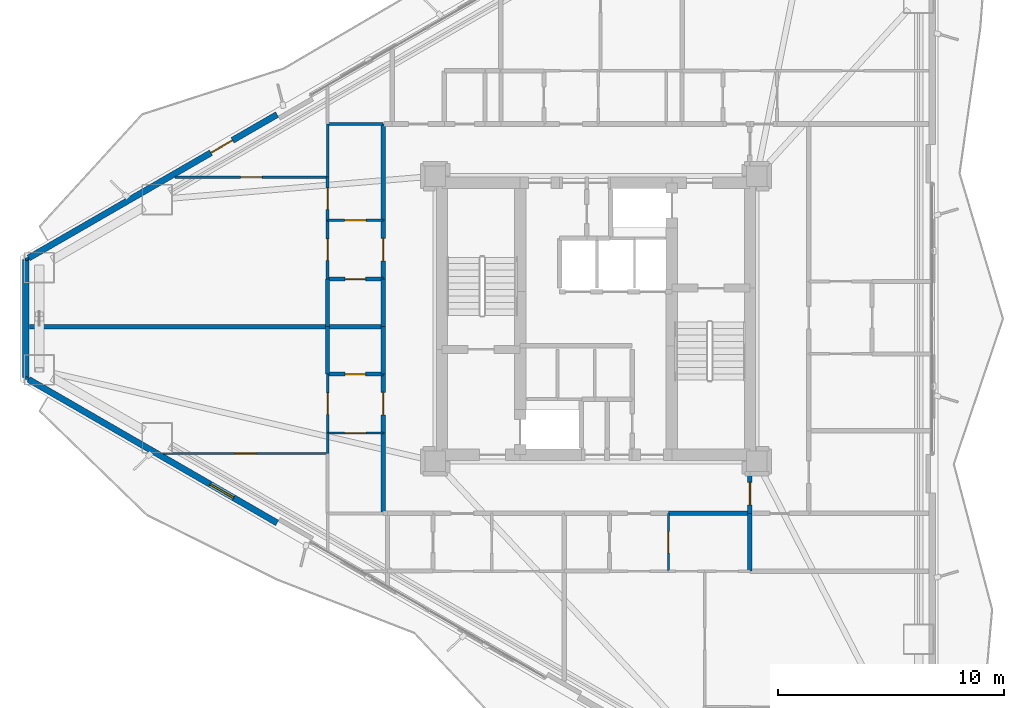
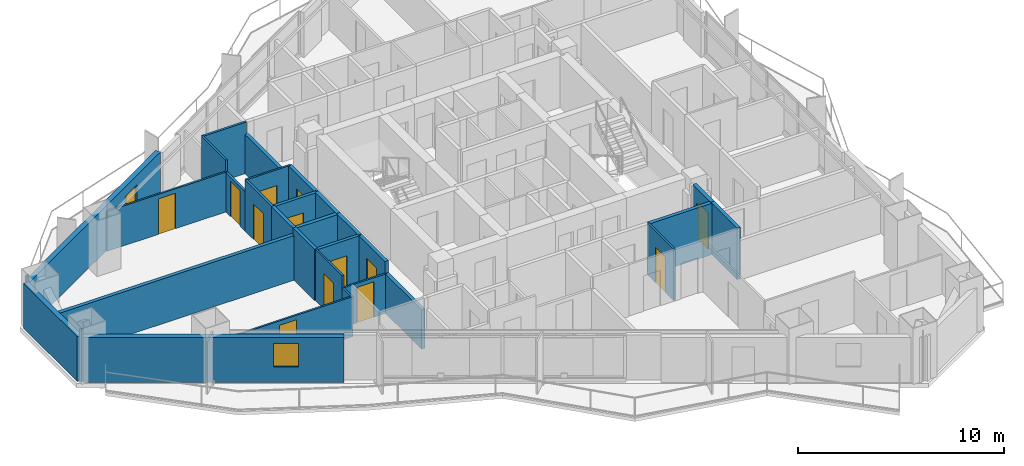
# One storey, part 12 of 18: 31 walls, 14 doors, 1 window, 15 openings.
"""IFC4 building model written with IfcOpenShell, lengths in metres."""

from ifc_helpers import new_model, si_unit, direction, frame, frame_2d, origin, place, context, subcontext, project, spatial, rectangle, extrude, material, layer, layer_set, type_object, element, fill, save


model = new_model("IFC4")

# Units and contexts
model_context = context("Model", 3, precision=1e-05, world=origin(), true_north=direction((0.0, 1.0)))
body_context = subcontext(model_context, "Body", "Model", "MODEL_VIEW")
ifc_project = project(units=[si_unit("LENGTHUNIT", "METRE"), si_unit("AREAUNIT", "SQUARE_METRE"), si_unit("VOLUMEUNIT", "CUBIC_METRE"), si_unit("PLANEANGLEUNIT", "RADIAN"), si_unit("MASSUNIT", "GRAM", prefix="KILO")], contexts=[model_context])

# Site, building, storey
site_placement = place(None, origin())
site = spatial("IfcSite", under=ifc_project, at=site_placement, CompositionType="ELEMENT")
building_placement = place(site_placement, origin())
building = spatial("IfcBuilding", under=site, at=building_placement, Name="Mersakhor Tower and Convention Hall", CompositionType="ELEMENT")
storey_placement = place(building_placement, frame((0.0, 0.0, 52.199951171875)))
storey = spatial("IfcBuildingStorey", under=building, at=storey_placement, Name="L14", CompositionType="ELEMENT", Elevation=52.199951171875)

# Wall
ifc_material_1 = material(Name="Precast concrete C45/55", Category="concrete")
ifc_layer_1 = layer(ifc_material_1, 0.27490234375)
ifc_layer_set_1 = layer_set([ifc_layer_1], Name="Precast concrete C45/55")
wall_type_1 = type_object("IfcWallType", Name="WL-EXT-275", PredefinedType="SOLIDWALL", material=ifc_layer_set_1)
wall_1_placement = place(storey_placement, frame((3.81298828125, 24.144287109375, 0.0), z_axis=(0.0, 0.0, 1.0), x_axis=(0.0, 1.0, 0.0)))
element("IfcWall", 1, at=wall_1_placement, inside=storey, type_object=wall_type_1, Name="L14 Chamfer Braced Spandrel Wall C3", PredefinedType="SOLIDWALL", context=body_context, shape_type="SweptSolid", body=[
    extrude(rectangle(XDim=5.21142578125, YDim=0.27490234375, at=frame_2d((2.605712890625, 0.0))), origin(), (0.0, 0.0, 1.0), 2.66015625),
])

# Wall, opening, door
wall_2_placement = place(storey_placement, frame((3.943115234375, 29.4306640625, 0.0), z_axis=(0.0, 0.0, 1.0), x_axis=(0.866027105532, 0.499997052475, 0.0)))
wall_2 = element("IfcWall", 2, at=wall_2_placement, inside=storey, type_object=wall_type_1, Name="L14 Exterior Facade Wall F1-B1", PredefinedType="SOLIDWALL", context=body_context, shape_type="SweptSolid", body=[
    extrude(rectangle(XDim=12.6728515625, YDim=0.27490234375, at=frame_2d((6.33642578125, 0.0))), origin(), (0.0, 0.0, 1.0), 2.66015625),
])
opening_1_placement = place(wall_2_placement, frame((9.298095703125, 0.0, 0.0)))
opening_1 = element("IfcOpeningElement", 3, at=opening_1_placement, cuts=wall_2, Name="Opening BD-02", PredefinedType="OPENING", context=body_context, shape_type="SweptSolid", body=[
    extrude(rectangle(XDim=1.10009765625, YDim=2.10009765625, at=frame_2d((0.550048828125, 1.050048828125))), frame((0.0, 0.1474609375, 0.0), z_axis=(0.0, -1.0, 0.0), x_axis=(1.0, 0.0, 0.0)), (0.0, 0.0, 1.0), 0.294921875),
])
ifc_material_2 = material(Name="Thermally broken dark aluminium and safety glass", Category="aluminium")
door_type_1 = type_object("IfcDoorType", Name="DR-BAL-110x210", OperationType="NOTDEFINED", PredefinedType="DOOR", material=ifc_material_2)
door_1_placement = place(opening_1_placement, origin())
door_1 = element("IfcDoor", 4, at=door_1_placement, inside=storey, type_object=door_type_1, Name="L14 Balcony Terrace Door F1-B1", OperationType="SINGLE_SWING_RIGHT", OverallHeight=2.10009765625, OverallWidth=1.10009765625, PredefinedType="DOOR", context=body_context, shape_type="SweptSolid", body=[
    extrude(rectangle(XDim=1.10009765625, YDim=2.10009765625, at=frame_2d((0.550048828125, 1.050048828125))), frame((0.0, 0.02490234375, 0.0), z_axis=(0.0, -1.0, 0.0), x_axis=(1.0, 0.0, 0.0)), (0.0, 0.0, 1.0), 0.050048828125),
])
fill(opening_1, door_1)

# Wall, opening, window
wall_3_placement = place(storey_placement, frame((14.918212890625, 17.73291015625, 0.0), z_axis=(0.0, 0.0, 1.0), x_axis=(-0.866027105532, 0.499997052475, 0.0)))
wall_3 = element("IfcWall", 5, at=wall_3_placement, inside=storey, type_object=wall_type_1, Name="L14 Exterior Facade Wall F3-B3", PredefinedType="SOLIDWALL", context=body_context, shape_type="SweptSolid", body=[
    extrude(rectangle(XDim=12.6728515625, YDim=0.27490234375, at=frame_2d((6.33642578125, 0.0))), origin(), (0.0, 0.0, 1.0), 2.66015625),
])
opening_2_placement = place(wall_3_placement, frame((2.216064453125, 0.0, 0.89990234375)))
opening_2 = element("IfcOpeningElement", 6, at=opening_2_placement, cuts=wall_3, Name="Opening W-01", PredefinedType="OPENING", context=body_context, shape_type="SweptSolid", body=[
    extrude(rectangle(XDim=1.199951171875, YDim=1.39990234375, at=frame_2d((0.60009765625, 0.699951171875))), frame((0.0, 0.1474609375, 0.0), z_axis=(0.0, -1.0, 0.0), x_axis=(1.0, 0.0, 0.0)), (0.0, 0.0, 1.0), 0.294921875),
])
ifc_material_3 = material(Name="Dark solar low-E glazed aluminium window", Category="aluminium")
window_type = type_object("IfcWindowType", Name="WN-RES-120x150", PartitioningType="SINGLE_PANEL", PredefinedType="WINDOW", material=ifc_material_3)
window_placement = place(opening_2_placement, origin())
window = element("IfcWindow", 7, at=window_placement, inside=storey, type_object=window_type, Name="L14 Bedroom Facade Window F3-B3-1", OverallHeight=1.39990234375, OverallWidth=1.199951171875, PartitioningType="SINGLE_PANEL", PredefinedType="WINDOW", context=body_context, shape_type="SweptSolid", body=[
    extrude(rectangle(XDim=1.199951171875, YDim=1.39990234375, at=frame_2d((0.60009765625, 0.699951171875))), frame((0.0, 0.030029296875, 0.0), z_axis=(0.0, -1.0, 0.0), x_axis=(1.0, 0.0, 0.0)), (0.0, 0.0, 1.0), 0.06005859375),
])
fill(opening_2, window)

# Wall, opening, door
ifc_material_4 = material(Name="Moisture-resistant acoustic drywall studwork", Category="other")
ifc_layer_2 = layer(ifc_material_4, 0.175048828125)
ifc_layer_set_2 = layer_set([ifc_layer_2], Name="Moisture-resistant acoustic drywall studwork")
wall_type_2 = type_object("IfcWallType", Name="WL-PLM-175", PredefinedType="PLUMBINGWALL", material=ifc_layer_set_2)
wall_4_placement = place(storey_placement, frame((19.60009765625, 28.5, 0.0), z_axis=(0.0, 0.0, 1.0), x_axis=(-1.0, 0.0, 0.0)))
wall_4 = element("IfcWall", 8, at=wall_4_placement, inside=storey, type_object=wall_type_2, Name="L14 Interior Partition Wall P-085", PredefinedType="PLUMBINGWALL", context=body_context, shape_type="SweptSolid", body=[
    extrude(rectangle(XDim=2.4501953125, YDim=0.175048828125, at=frame_2d((1.22509765625, 0.0))), origin(), (0.0, 0.0, 1.0), 3.0400390625),
])
opening_3_placement = place(wall_4_placement, frame((0.77490234375, 0.0, 0.0)))
opening_3 = element("IfcOpeningElement", 9, at=opening_3_placement, cuts=wall_4, Name="Opening WD-01", PredefinedType="OPENING", context=body_context, shape_type="SweptSolid", body=[
    extrude(rectangle(XDim=0.89990234375, YDim=2.10009765625, at=frame_2d((0.449951171875, 1.050048828125))), frame((0.0, 0.097412109375, 0.0), z_axis=(0.0, -1.0, 0.0), x_axis=(1.0, 0.0, 0.0)), (0.0, 0.0, 1.0), 0.195068359375),
])
ifc_material_5 = material(Name="Solid-core hardwood leaf in painted steel frame", Category="steel")
door_type_2 = type_object("IfcDoorType", Name="DR-INT-WET-090x210", OperationType="NOTDEFINED", PredefinedType="DOOR", material=ifc_material_5)
door_2_placement = place(opening_3_placement, origin())
door_2 = element("IfcDoor", 10, at=door_2_placement, inside=storey, type_object=door_type_2, Name="L14 L14 Flat W6 Apartment Hall to L14 Flat W6 Bathroom Door", OperationType="SINGLE_SWING_RIGHT", OverallHeight=2.10009765625, OverallWidth=0.89990234375, PredefinedType="DOOR", context=body_context, shape_type="SweptSolid", body=[
    extrude(rectangle(XDim=0.89990234375, YDim=2.10009765625, at=frame_2d((0.449951171875, 1.050048828125))), frame((0.0, 0.02490234375, 0.0), z_axis=(0.0, -1.0, 0.0), x_axis=(1.0, 0.0, 0.0)), (0.0, 0.0, 1.0), 0.050048828125),
])
fill(opening_3, door_2)

wall_5_placement = place(storey_placement, frame((17.14990234375, 24.300048828125, 0.0), z_axis=(0.0, 0.0, 1.0), x_axis=(1.0, 0.0, 0.0)))
wall_5 = element("IfcWall", 11, at=wall_5_placement, inside=storey, type_object=wall_type_2, Name="L14 Interior Partition Wall P-087", PredefinedType="PLUMBINGWALL", context=body_context, shape_type="SweptSolid", body=[
    extrude(rectangle(XDim=2.4501953125, YDim=0.175048828125, at=frame_2d((1.22509765625, 0.0))), origin(), (0.0, 0.0, 1.0), 3.0400390625),
])
opening_4_placement = place(wall_5_placement, frame((0.77490234375, 0.0, 0.0)))
opening_4 = element("IfcOpeningElement", 12, at=opening_4_placement, cuts=wall_5, Name="Opening WD-01", PredefinedType="OPENING", context=body_context, shape_type="SweptSolid", body=[
    extrude(rectangle(XDim=0.89990234375, YDim=2.10009765625, at=frame_2d((0.449951171875, 1.050048828125))), frame((0.0, 0.097412109375, 0.0), z_axis=(0.0, -1.0, 0.0), x_axis=(1.0, 0.0, 0.0)), (0.0, 0.0, 1.0), 0.195068359375),
])
door_3_placement = place(opening_4_placement, origin())
door_3 = element("IfcDoor", 13, at=door_3_placement, inside=storey, type_object=door_type_2, Name="L14 L14 Flat W7 Apartment Hall to L14 Flat W7 Bathroom Door", OperationType="SINGLE_SWING_LEFT", OverallHeight=2.10009765625, OverallWidth=0.89990234375, PredefinedType="DOOR", context=body_context, shape_type="SweptSolid", body=[
    extrude(rectangle(XDim=0.89990234375, YDim=2.10009765625, at=frame_2d((0.449951171875, 1.050048828125))), frame((0.0, 0.02490234375, 0.0), z_axis=(0.0, -1.0, 0.0), x_axis=(1.0, 0.0, 0.0)), (0.0, 0.0, 1.0), 0.050048828125),
])
fill(opening_4, door_3)

# Walls
wall_6_placement = place(storey_placement, frame((17.14990234375, 26.39990234375, 0.0), z_axis=(0.0, 0.0, 1.0), x_axis=(0.0, 1.0, 0.0)))
element("IfcWall", 14, at=wall_6_placement, inside=storey, type_object=wall_type_2, Name="L14 Interior Partition Wall P-111", PredefinedType="PLUMBINGWALL", context=body_context, shape_type="SweptSolid", body=[
    extrude(rectangle(XDim=2.10009765625, YDim=0.175048828125, at=frame_2d((1.050048828125, 0.0))), origin(), (0.0, 0.0, 1.0), 3.0400390625),
])
wall_7_placement = place(storey_placement, frame((17.14990234375, 24.300048828125, 0.0), z_axis=(0.0, 0.0, 1.0), x_axis=(0.0, 1.0, 0.0)))
element("IfcWall", 15, at=wall_7_placement, inside=storey, type_object=wall_type_2, Name="L14 Interior Partition Wall P-116", PredefinedType="PLUMBINGWALL", context=body_context, shape_type="SweptSolid", body=[
    extrude(rectangle(XDim=2.099853515625, YDim=0.175048828125, at=frame_2d((1.0498046875, 0.0))), origin(), (0.0, 0.0, 1.0), 3.0400390625),
])

# Wall, opening, door
ifc_material_6 = material(Name="Lightweight gypsum partition", Category="other")
ifc_layer_3 = layer(ifc_material_6, 0.10009765625)
ifc_layer_set_3 = layer_set([ifc_layer_3], Name="Lightweight gypsum partition")
wall_type_3 = type_object("IfcWallType", Name="WL-PRT-100", PredefinedType="PARTITIONING", material=ifc_layer_set_3)
wall_8_placement = place(storey_placement, frame((32.199951171875, 18.14990234375, 0.0), z_axis=(0.0, 0.0, 1.0), x_axis=(0.0, -1.0, 0.0)))
wall_8 = element("IfcWall", 16, at=wall_8_placement, inside=storey, type_object=wall_type_3, Name="L14 Interior Partition Wall P-082", PredefinedType="PARTITIONING", context=body_context, shape_type="SweptSolid", body=[
    extrude(rectangle(XDim=2.5498046875, YDim=0.10009765625, at=frame_2d((1.27490234375, 0.0))), origin(), (0.0, 0.0, 1.0), 3.0400390625),
])
opening_5_placement = place(wall_8_placement, frame((0.800048828125, 0.0, 0.0)))
opening_5 = element("IfcOpeningElement", 17, at=opening_5_placement, cuts=wall_8, Name="Opening RD-01", PredefinedType="OPENING", context=body_context, shape_type="SweptSolid", body=[
    extrude(rectangle(XDim=0.949951171875, YDim=2.10009765625, at=frame_2d((0.47509765625, 1.050048828125))), frame((0.0, 0.06005859375, 0.0), z_axis=(0.0, -1.0, 0.0), x_axis=(1.0, 0.0, 0.0)), (0.0, 0.0, 1.0), 0.1201171875),
])
ifc_material_7 = material(Name="Solid-core hardwood leaf in painted steel frame", Category="steel")
door_type_3 = type_object("IfcDoorType", Name="DR-INT-RM-095x210", OperationType="NOTDEFINED", PredefinedType="DOOR", material=ifc_material_7)
door_4_placement = place(opening_5_placement, origin())
door_4 = element("IfcDoor", 18, at=door_4_placement, inside=storey, type_object=door_type_3, Name="L14 L14 Flat S5 Apartment Hall to L14 Flat S5 Kitchen Door", OperationType="SINGLE_SWING_RIGHT", OverallHeight=2.10009765625, OverallWidth=0.949951171875, PredefinedType="DOOR", context=body_context, shape_type="SweptSolid", body=[
    extrude(rectangle(XDim=0.949951171875, YDim=2.10009765625, at=frame_2d((0.47509765625, 1.050048828125))), frame((0.0, 0.02490234375, 0.0), z_axis=(0.0, -1.0, 0.0), x_axis=(1.0, 0.0, 0.0)), (0.0, 0.0, 1.0), 0.050048828125),
])
fill(opening_5, door_4)

wall_9_placement = place(storey_placement, frame((17.14990234375, 31.10009765625, 0.0), z_axis=(0.0, 0.0, 1.0), x_axis=(1.0, 0.0, 0.0)))
wall_9 = element("IfcWall", 19, at=wall_9_placement, inside=storey, type_object=wall_type_3, Name="L14 Interior Partition Wall P-084", PredefinedType="PARTITIONING", context=body_context, shape_type="SweptSolid", body=[
    extrude(rectangle(XDim=2.4501953125, YDim=0.10009765625, at=frame_2d((1.22509765625, 0.0))), origin(), (0.0, 0.0, 1.0), 3.0400390625),
])
opening_6_placement = place(wall_9_placement, frame((0.75, 0.0, 0.0)))
opening_6 = element("IfcOpeningElement", 20, at=opening_6_placement, cuts=wall_9, Name="Opening RD-01", PredefinedType="OPENING", context=body_context, shape_type="SweptSolid", body=[
    extrude(rectangle(XDim=0.949951171875, YDim=2.10009765625, at=frame_2d((0.47509765625, 1.050048828125))), frame((0.0, 0.06005859375, 0.0), z_axis=(0.0, -1.0, 0.0), x_axis=(1.0, 0.0, 0.0)), (0.0, 0.0, 1.0), 0.1201171875),
])
door_5_placement = place(opening_6_placement, origin())
door_5 = element("IfcDoor", 21, at=door_5_placement, inside=storey, type_object=door_type_3, Name="L14 L14 Flat W6 Apartment Hall to L14 Flat W6 Kitchen Door", OperationType="SINGLE_SWING_LEFT", OverallHeight=2.10009765625, OverallWidth=0.949951171875, PredefinedType="DOOR", context=body_context, shape_type="SweptSolid", body=[
    extrude(rectangle(XDim=0.949951171875, YDim=2.10009765625, at=frame_2d((0.47509765625, 1.050048828125))), frame((0.0, 0.02490234375, 0.0), z_axis=(0.0, -1.0, 0.0), x_axis=(1.0, 0.0, 0.0)), (0.0, 0.0, 1.0), 0.050048828125),
])
fill(opening_6, door_5)

wall_10_placement = place(storey_placement, frame((17.14990234375, 21.699951171875, 0.0), z_axis=(0.0, 0.0, 1.0), x_axis=(0.0, 1.0, 0.0)))
wall_10 = element("IfcWall", 22, at=wall_10_placement, inside=storey, type_object=wall_type_3, Name="L14 Interior Partition Wall P-086", PredefinedType="PARTITIONING", context=body_context, shape_type="SweptSolid", body=[
    extrude(rectangle(XDim=2.60009765625, YDim=0.10009765625, at=frame_2d((1.300048828125, 0.0))), origin(), (0.0, 0.0, 1.0), 3.0400390625),
])
opening_7_placement = place(wall_10_placement, frame((0.824951171875, 0.0, 0.0)))
opening_7 = element("IfcOpeningElement", 23, at=opening_7_placement, cuts=wall_10, Name="Opening RD-01", PredefinedType="OPENING", context=body_context, shape_type="SweptSolid", body=[
    extrude(rectangle(XDim=0.949951171875, YDim=2.10009765625, at=frame_2d((0.47509765625, 1.050048828125))), frame((0.0, 0.06005859375, 0.0), z_axis=(0.0, -1.0, 0.0), x_axis=(1.0, 0.0, 0.0)), (0.0, 0.0, 1.0), 0.1201171875),
])
door_6_placement = place(opening_7_placement, origin())
door_6 = element("IfcDoor", 24, at=door_6_placement, inside=storey, type_object=door_type_3, Name="L14 L14 Flat W7 Apartment Hall to L14 Flat W7 Living and Dining Room Door", OperationType="SINGLE_SWING_LEFT", OverallHeight=2.10009765625, OverallWidth=0.949951171875, PredefinedType="DOOR", context=body_context, shape_type="SweptSolid", body=[
    extrude(rectangle(XDim=0.949951171875, YDim=2.10009765625, at=frame_2d((0.47509765625, 1.050048828125))), frame((0.0, 0.02490234375, 0.0), z_axis=(0.0, -1.0, 0.0), x_axis=(1.0, 0.0, 0.0)), (0.0, 0.0, 1.0), 0.050048828125),
])
fill(opening_7, door_6)

wall_11_placement = place(storey_placement, frame((19.60009765625, 21.699951171875, 0.0), z_axis=(0.0, 0.0, 1.0), x_axis=(-1.0, 0.0, 0.0)))
wall_11 = element("IfcWall", 25, at=wall_11_placement, inside=storey, type_object=wall_type_3, Name="L14 Interior Partition Wall P-088", PredefinedType="PARTITIONING", context=body_context, shape_type="SweptSolid", body=[
    extrude(rectangle(XDim=2.4501953125, YDim=0.10009765625, at=frame_2d((1.22509765625, 0.0))), origin(), (0.0, 0.0, 1.0), 2.337646484375),
])
opening_8_placement = place(wall_11_placement, frame((0.75, 0.0, 0.0)))
opening_8 = element("IfcOpeningElement", 26, at=opening_8_placement, cuts=wall_11, Name="Opening RD-01", PredefinedType="OPENING", context=body_context, shape_type="SweptSolid", body=[
    extrude(rectangle(XDim=0.949951171875, YDim=2.10009765625, at=frame_2d((0.47509765625, 1.050048828125))), frame((0.0, 0.06005859375, 0.0), z_axis=(0.0, -1.0, 0.0), x_axis=(1.0, 0.0, 0.0)), (0.0, 0.0, 1.0), 0.1201171875),
])
door_7_placement = place(opening_8_placement, origin())
door_7 = element("IfcDoor", 27, at=door_7_placement, inside=storey, type_object=door_type_3, Name="L14 L14 Flat W7 Apartment Hall to L14 Flat W7 Kitchen Door", OperationType="SINGLE_SWING_RIGHT", OverallHeight=2.10009765625, OverallWidth=0.949951171875, PredefinedType="DOOR", context=body_context, shape_type="SweptSolid", body=[
    extrude(rectangle(XDim=0.949951171875, YDim=2.10009765625, at=frame_2d((0.47509765625, 1.050048828125))), frame((0.0, 0.02490234375, 0.0), z_axis=(0.0, -1.0, 0.0), x_axis=(1.0, 0.0, 0.0)), (0.0, 0.0, 1.0), 0.050048828125),
])
fill(opening_8, door_7)

# Walls
wall_12_placement = place(storey_placement, frame((17.14990234375, 33.0, 0.0), z_axis=(0.0, 0.0, 1.0), x_axis=(0.0, 1.0, 0.0)))
element("IfcWall", 28, at=wall_12_placement, inside=storey, type_object=wall_type_3, Name="L14 Interior Partition Wall P-114", PredefinedType="PARTITIONING", context=body_context, shape_type="SweptSolid", body=[
    extrude(rectangle(XDim=2.35009765625, YDim=0.10009765625, at=frame_2d((1.175048828125, 0.0))), origin(), (0.0, 0.0, 1.0), 3.0400390625),
])
wall_13_placement = place(storey_placement, frame((17.14990234375, 20.800048828125, 0.0), z_axis=(0.0, 0.0, 1.0), x_axis=(0.0, 1.0, 0.0)))
element("IfcWall", 29, at=wall_13_placement, inside=storey, type_object=wall_type_3, Name="L14 Interior Partition Wall P-118", PredefinedType="PARTITIONING", context=body_context, shape_type="SweptSolid", body=[
    extrude(rectangle(XDim=0.89990234375, YDim=0.10009765625, at=frame_2d((0.449951171875, 0.0))), origin(), (0.0, 0.0, 1.0), 2.337646484375),
])

# Wall, opening, door
wall_14_placement = place(storey_placement, frame((10.4189453125, 33.0, 0.0), z_axis=(0.0, 0.0, 1.0), x_axis=(1.0, 0.0, 0.0)))
wall_14 = element("IfcWall", 30, at=wall_14_placement, inside=storey, type_object=wall_type_3, Name="L14 Interior Partition Wall P-140", PredefinedType="PARTITIONING", context=body_context, shape_type="SweptSolid", body=[
    extrude(rectangle(XDim=6.73095703125, YDim=0.10009765625, at=frame_2d((3.365478515625, 0.0))), origin(), (0.0, 0.0, 1.0), 2.364990234375),
])
opening_9_placement = place(wall_14_placement, frame((2.890380859375, 0.0, 0.0)))
opening_9 = element("IfcOpeningElement", 31, at=opening_9_placement, cuts=wall_14, Name="Opening RD-01", PredefinedType="OPENING", context=body_context, shape_type="SweptSolid", body=[
    extrude(rectangle(XDim=0.949951171875, YDim=2.10009765625, at=frame_2d((0.47509765625, 1.050048828125))), frame((0.0, 0.06005859375, 0.0), z_axis=(0.0, -1.0, 0.0), x_axis=(1.0, 0.0, 0.0)), (0.0, 0.0, 1.0), 0.1201171875),
])
door_8_placement = place(opening_9_placement, origin())
door_8 = element("IfcDoor", 32, at=door_8_placement, inside=storey, type_object=door_type_3, Name="L14 L14 Flat W6 Living and Dining Room to L14 Flat W6 Bedroom 1 Door", OperationType="SINGLE_SWING_RIGHT", OverallHeight=2.10009765625, OverallWidth=0.949951171875, PredefinedType="DOOR", context=body_context, shape_type="SweptSolid", body=[
    extrude(rectangle(XDim=0.949951171875, YDim=2.10009765625, at=frame_2d((0.47509765625, 1.050048828125))), frame((0.0, 0.02490234375, 0.0), z_axis=(0.0, -1.0, 0.0), x_axis=(1.0, 0.0, 0.0)), (0.0, 0.0, 1.0), 0.050048828125),
])
fill(opening_9, door_8)

# Wall
wall_15_placement = place(storey_placement, frame((3.81298828125, 29.35595703125, 0.0), z_axis=(0.0, 0.0, 1.0), x_axis=(0.866131372301, 0.499816412211, 0.0)))
element("IfcWall", 33, at=wall_15_placement, inside=storey, type_object=wall_type_3, Name="L14 Interior Partition Wall P-142", PredefinedType="PARTITIONING", context=body_context, shape_type="SweptSolid", body=[
    extrude(rectangle(XDim=0.14990234375, YDim=0.10009765625, at=frame_2d((0.074951171875, 0.0))), origin(), (0.0, 0.0, 1.0), 3.0400390625),
])

# Wall, opening, door
wall_16_placement = place(storey_placement, frame((17.14990234375, 20.800048828125, 0.0), z_axis=(0.0, 0.0, 1.0), x_axis=(-1.0, 0.0, 0.0)))
wall_16 = element("IfcWall", 34, at=wall_16_placement, inside=storey, type_object=wall_type_3, Name="L14 Interior Partition Wall P-144", PredefinedType="PARTITIONING", context=body_context, shape_type="SweptSolid", body=[
    extrude(rectangle(XDim=7.25048828125, YDim=0.10009765625, at=frame_2d((3.625244140625, 0.0))), origin(), (0.0, 0.0, 1.0), 2.364990234375),
])
opening_10_placement = place(wall_16_placement, frame((3.150390625, 0.0, 0.0)))
opening_10 = element("IfcOpeningElement", 35, at=opening_10_placement, cuts=wall_16, Name="Opening RD-01", PredefinedType="OPENING", context=body_context, shape_type="SweptSolid", body=[
    extrude(rectangle(XDim=0.949951171875, YDim=2.10009765625, at=frame_2d((0.47509765625, 1.050048828125))), frame((0.0, 0.06005859375, 0.0), z_axis=(0.0, -1.0, 0.0), x_axis=(1.0, 0.0, 0.0)), (0.0, 0.0, 1.0), 0.1201171875),
])
door_9_placement = place(opening_10_placement, origin())
door_9 = element("IfcDoor", 36, at=door_9_placement, inside=storey, type_object=door_type_3, Name="L14 L14 Flat W7 Living and Dining Room to L14 Flat W7 Bedroom 1 Door", OperationType="SINGLE_SWING_LEFT", OverallHeight=2.10009765625, OverallWidth=0.949951171875, PredefinedType="DOOR", context=body_context, shape_type="SweptSolid", body=[
    extrude(rectangle(XDim=0.949951171875, YDim=2.10009765625, at=frame_2d((0.47509765625, 1.050048828125))), frame((0.0, 0.02490234375, 0.0), z_axis=(0.0, -1.0, 0.0), x_axis=(1.0, 0.0, 0.0)), (0.0, 0.0, 1.0), 0.050048828125),
])
fill(opening_10, door_9)

ifc_material_8 = material(Name="Gypsum board acoustic partition", Category="other")
ifc_layer_4 = layer(ifc_material_8, 0.125)
ifc_layer_set_4 = layer_set([ifc_layer_4], Name="Gypsum board acoustic partition")
wall_type_4 = type_object("IfcWallType", Name="WL-PRT-125", PredefinedType="PARTITIONING", material=ifc_layer_set_4)
wall_17_placement = place(storey_placement, frame((17.14990234375, 28.5, 0.0), z_axis=(0.0, 0.0, 1.0), x_axis=(0.0, 1.0, 0.0)))
wall_17 = element("IfcWall", 37, at=wall_17_placement, inside=storey, type_object=wall_type_4, Name="L14 Interior Partition Wall P-083", PredefinedType="PARTITIONING", context=body_context, shape_type="SweptSolid", body=[
    extrude(rectangle(XDim=2.60009765625, YDim=0.125, at=frame_2d((1.300048828125, 0.0))), origin(), (0.0, 0.0, 1.0), 3.0400390625),
])
opening_11_placement = place(wall_17_placement, frame((0.824951171875, 0.0, 0.0)))
opening_11 = element("IfcOpeningElement", 38, at=opening_11_placement, cuts=wall_17, Name="Opening RD-01", PredefinedType="OPENING", context=body_context, shape_type="SweptSolid", body=[
    extrude(rectangle(XDim=0.949951171875, YDim=2.10009765625, at=frame_2d((0.47509765625, 1.050048828125))), frame((0.0, 0.072509765625, 0.0), z_axis=(0.0, -1.0, 0.0), x_axis=(1.0, 0.0, 0.0)), (0.0, 0.0, 1.0), 0.14501953125),
])
door_10_placement = place(opening_11_placement, origin())
door_10 = element("IfcDoor", 39, at=door_10_placement, inside=storey, type_object=door_type_3, Name="L14 L14 Flat W6 Apartment Hall to L14 Flat W6 Living and Dining Room Door", OperationType="SINGLE_SWING_RIGHT", OverallHeight=2.10009765625, OverallWidth=0.949951171875, PredefinedType="DOOR", context=body_context, shape_type="SweptSolid", body=[
    extrude(rectangle(XDim=0.949951171875, YDim=2.10009765625, at=frame_2d((0.47509765625, 1.050048828125))), frame((0.0, 0.02490234375, 0.0), z_axis=(0.0, -1.0, 0.0), x_axis=(1.0, 0.0, 0.0)), (0.0, 0.0, 1.0), 0.050048828125),
])
fill(opening_11, door_10)

wall_18_placement = place(storey_placement, frame((17.14990234375, 31.10009765625, 0.0), z_axis=(0.0, 0.0, 1.0), x_axis=(0.0, 1.0, 0.0)))
wall_18 = element("IfcWall", 40, at=wall_18_placement, inside=storey, type_object=wall_type_4, Name="L14 Interior Partition Wall P-113", PredefinedType="PARTITIONING", context=body_context, shape_type="SweptSolid", body=[
    extrude(rectangle(XDim=1.89990234375, YDim=0.125, at=frame_2d((0.949951171875, 0.0))), origin(), (0.0, 0.0, 1.0), 2.337646484375),
])
opening_12_placement = place(wall_18_placement, frame((0.47509765625, 0.0, 0.0)))
opening_12 = element("IfcOpeningElement", 41, at=opening_12_placement, cuts=wall_18, Name="Opening RD-01", PredefinedType="OPENING", context=body_context, shape_type="SweptSolid", body=[
    extrude(rectangle(XDim=0.949951171875, YDim=2.10009765625, at=frame_2d((0.47509765625, 1.050048828125))), frame((0.0, 0.072509765625, 0.0), z_axis=(0.0, -1.0, 0.0), x_axis=(1.0, 0.0, 0.0)), (0.0, 0.0, 1.0), 0.14501953125),
])
door_11_placement = place(opening_12_placement, origin())
door_11 = element("IfcDoor", 42, at=door_11_placement, inside=storey, type_object=door_type_3, Name="L14 L14 Flat W6 Kitchen to L14 Flat W6 Living and Dining Room Door", OperationType="SINGLE_SWING_LEFT", OverallHeight=2.10009765625, OverallWidth=0.949951171875, PredefinedType="DOOR", context=body_context, shape_type="SweptSolid", body=[
    extrude(rectangle(XDim=0.949951171875, YDim=2.10009765625, at=frame_2d((0.47509765625, 1.050048828125))), frame((0.0, 0.02490234375, 0.0), z_axis=(0.0, -1.0, 0.0), x_axis=(1.0, 0.0, 0.0)), (0.0, 0.0, 1.0), 0.050048828125),
])
fill(opening_12, door_11)

# Walls
wall_19_placement = place(storey_placement, frame((17.14990234375, 35.35009765625, 0.0), z_axis=(0.0, 0.0, 1.0), x_axis=(1.0, 0.0, 0.0)))
element("IfcWall", 43, at=wall_19_placement, inside=storey, type_object=wall_type_4, Name="L14 Interior Partition Wall P-115", PredefinedType="PARTITIONING", context=body_context, shape_type="SweptSolid", body=[
    extrude(rectangle(XDim=2.4501953125, YDim=0.125, at=frame_2d((1.22509765625, 0.0))), origin(), (0.0, 0.0, 1.0), 3.0400390625),
])
wall_20_placement = place(storey_placement, frame((3.94287109375, 24.069091796875, 0.0), z_axis=(0.0, 0.0, 1.0), x_axis=(-0.866131372301, 0.499816412211, 0.0)))
element("IfcWall", 44, at=wall_20_placement, inside=storey, type_object=wall_type_4, Name="L14 Interior Partition Wall P-145", PredefinedType="PARTITIONING", context=body_context, shape_type="SweptSolid", body=[
    extrude(rectangle(XDim=0.14990234375, YDim=0.125, at=frame_2d((0.074951171875, 0.0))), origin(), (0.0, 0.0, 1.0), 3.0400390625),
])

# Wall, opening, door
ifc_material_9 = material(Name="Acoustic concrete blockwork and gypsum board", Category="masonry")
ifc_layer_5 = layer(ifc_material_9, 0.199951171875)
ifc_layer_set_5 = layer_set([ifc_layer_5], Name="Acoustic concrete blockwork and gypsum board")
wall_type_5 = type_object("IfcWallType", Name="WL-PRT-200", PredefinedType="PARTITIONING", material=ifc_layer_set_5)
wall_21_placement = place(storey_placement, frame((35.800048828125, 19.89990234375, 0.0), z_axis=(0.0, 0.0, 1.0), x_axis=(0.0, -1.0, 0.0)))
wall_21 = element("IfcWall", 45, at=wall_21_placement, inside=storey, type_object=wall_type_5, Name="L14 Interior Partition Wall P-025", PredefinedType="PARTITIONING", context=body_context, shape_type="SweptSolid", body=[
    extrude(rectangle(XDim=1.75, YDim=0.199951171875, at=frame_2d((0.875, 0.0))), origin(), (0.0, 0.0, 1.0), 3.0400390625),
])
opening_13_placement = place(wall_21_placement, frame((0.375, 0.0, 0.0)))
opening_13 = element("IfcOpeningElement", 46, at=opening_13_placement, cuts=wall_21, Name="Opening FD-01", PredefinedType="OPENING", context=body_context, shape_type="SweptSolid", body=[
    extrude(rectangle(XDim=1.0, YDim=2.14990234375, at=frame_2d((0.5, 1.074951171875))), frame((0.0, 0.10986328125, 0.0), z_axis=(0.0, -1.0, 0.0), x_axis=(1.0, 0.0, 0.0)), (0.0, 0.0, 1.0), 0.219970703125),
])
ifc_material_10 = material(Name="Fire-rated hardwood leaf and painted steel frame", Category="steel")
door_type_4 = type_object("IfcDoorType", Name="DR-INT-FLT-100x215", OperationType="NOTDEFINED", PredefinedType="DOOR", material=ifc_material_10)
door_12_placement = place(opening_13_placement, origin())
door_12 = element("IfcDoor", 47, at=door_12_placement, inside=storey, type_object=door_type_4, Name="L14 Ring Corridor Fire Door", OperationType="SINGLE_SWING_LEFT", OverallHeight=2.14990234375, OverallWidth=1.0, PredefinedType="DOOR", context=body_context, shape_type="SweptSolid", body=[
    extrude(rectangle(XDim=1.0, YDim=2.14990234375, at=frame_2d((0.5, 1.074951171875))), frame((0.0, 0.02490234375, 0.0), z_axis=(0.0, -1.0, 0.0), x_axis=(1.0, 0.0, 0.0)), (0.0, 0.0, 1.0), 0.050048828125),
])
fill(opening_13, door_12)

# Walls
wall_22_placement = place(storey_placement, frame((35.800048828125, 18.14990234375, 0.0), z_axis=(0.0, 0.0, 1.0), x_axis=(-1.0, 0.0, 0.0)))
element("IfcWall", 48, at=wall_22_placement, inside=storey, type_object=wall_type_5, Name="L14 Interior Partition Wall P-026", PredefinedType="PARTITIONING", context=body_context, shape_type="SweptSolid", body=[
    extrude(rectangle(XDim=3.60009765625, YDim=0.199951171875, at=frame_2d((1.800048828125, 0.0))), origin(), (0.0, 0.0, 1.0), 3.0400390625),
])
wall_23_placement = place(storey_placement, frame((19.60009765625, 18.14990234375, 0.0), z_axis=(0.0, 0.0, 1.0), x_axis=(0.0, 1.0, 0.0)))
element("IfcWall", 49, at=wall_23_placement, inside=storey, type_object=wall_type_5, Name="L14 Interior Partition Wall P-033", PredefinedType="PARTITIONING", context=body_context, shape_type="SweptSolid", body=[
    extrude(rectangle(XDim=3.550048828125, YDim=0.199951171875, at=frame_2d((1.77490234375, 0.0))), origin(), (0.0, 0.0, 1.0), 2.337646484375),
])

# Wall, opening, door
wall_24_placement = place(storey_placement, frame((19.60009765625, 21.699951171875, 0.0), z_axis=(0.0, 0.0, 1.0), x_axis=(0.0, 1.0, 0.0)))
wall_24 = element("IfcWall", 50, at=wall_24_placement, inside=storey, type_object=wall_type_5, Name="L14 Interior Partition Wall P-034", PredefinedType="PARTITIONING", context=body_context, shape_type="SweptSolid", body=[
    extrude(rectangle(XDim=2.60009765625, YDim=0.199951171875, at=frame_2d((1.300048828125, 0.0))), origin(), (0.0, 0.0, 1.0), 3.0400390625),
])
opening_14_placement = place(wall_24_placement, frame((0.800048828125, 0.0, 0.0)))
opening_14 = element("IfcOpeningElement", 51, at=opening_14_placement, cuts=wall_24, Name="Opening FD-01", PredefinedType="OPENING", context=body_context, shape_type="SweptSolid", body=[
    extrude(rectangle(XDim=1.0, YDim=2.14990234375, at=frame_2d((0.5, 1.074951171875))), frame((0.0, 0.10986328125, 0.0), z_axis=(0.0, -1.0, 0.0), x_axis=(1.0, 0.0, 0.0)), (0.0, 0.0, 1.0), 0.219970703125),
])
door_13_placement = place(opening_14_placement, origin())
door_13 = element("IfcDoor", 52, at=door_13_placement, inside=storey, type_object=door_type_4, Name="L14 Apartment Entrance Door (Residential Ring Corridor to L14 Flat W7 Apartment Hall)", OperationType="SINGLE_SWING_RIGHT", OverallHeight=2.14990234375, OverallWidth=1.0, PredefinedType="DOOR", context=body_context, shape_type="SweptSolid", body=[
    extrude(rectangle(XDim=1.0, YDim=2.14990234375, at=frame_2d((0.5, 1.074951171875))), frame((0.0, 0.02490234375, 0.0), z_axis=(0.0, -1.0, 0.0), x_axis=(1.0, 0.0, 0.0)), (0.0, 0.0, 1.0), 0.050048828125),
])
fill(opening_14, door_13)

# Walls
wall_25_placement = place(storey_placement, frame((19.60009765625, 24.300048828125, 0.0), z_axis=(0.0, 0.0, 1.0), x_axis=(0.0, 1.0, 0.0)))
element("IfcWall", 53, at=wall_25_placement, inside=storey, type_object=wall_type_5, Name="L14 Interior Partition Wall P-035", PredefinedType="PARTITIONING", context=body_context, shape_type="SweptSolid", body=[
    extrude(rectangle(XDim=2.099853515625, YDim=0.199951171875, at=frame_2d((1.0498046875, 0.0))), origin(), (0.0, 0.0, 1.0), 3.0400390625),
])
wall_26_placement = place(storey_placement, frame((19.60009765625, 26.39990234375, 0.0), z_axis=(0.0, 0.0, 1.0), x_axis=(0.0, 1.0, 0.0)))
element("IfcWall", 54, at=wall_26_placement, inside=storey, type_object=wall_type_5, Name="L14 Interior Partition Wall P-036", PredefinedType="PARTITIONING", context=body_context, shape_type="SweptSolid", body=[
    extrude(rectangle(XDim=2.10009765625, YDim=0.199951171875, at=frame_2d((1.050048828125, 0.0))), origin(), (0.0, 0.0, 1.0), 3.0400390625),
])

# Wall, opening, door
wall_27_placement = place(storey_placement, frame((19.60009765625, 28.5, 0.0), z_axis=(0.0, 0.0, 1.0), x_axis=(0.0, 1.0, 0.0)))
wall_27 = element("IfcWall", 55, at=wall_27_placement, inside=storey, type_object=wall_type_5, Name="L14 Interior Partition Wall P-037", PredefinedType="PARTITIONING", context=body_context, shape_type="SweptSolid", body=[
    extrude(rectangle(XDim=2.60009765625, YDim=0.199951171875, at=frame_2d((1.300048828125, 0.0))), origin(), (0.0, 0.0, 1.0), 3.0400390625),
])
opening_15_placement = place(wall_27_placement, frame((0.800048828125, 0.0, 0.0)))
opening_15 = element("IfcOpeningElement", 56, at=opening_15_placement, cuts=wall_27, Name="Opening FD-01", PredefinedType="OPENING", context=body_context, shape_type="SweptSolid", body=[
    extrude(rectangle(XDim=1.0, YDim=2.14990234375, at=frame_2d((0.5, 1.074951171875))), frame((0.0, 0.10986328125, 0.0), z_axis=(0.0, -1.0, 0.0), x_axis=(1.0, 0.0, 0.0)), (0.0, 0.0, 1.0), 0.219970703125),
])
door_14_placement = place(opening_15_placement, origin())
door_14 = element("IfcDoor", 57, at=door_14_placement, inside=storey, type_object=door_type_4, Name="L14 Apartment Entrance Door (Residential Ring Corridor to L14 Flat W6 Apartment Hall)", OperationType="SINGLE_SWING_LEFT", OverallHeight=2.14990234375, OverallWidth=1.0, PredefinedType="DOOR", context=body_context, shape_type="SweptSolid", body=[
    extrude(rectangle(XDim=1.0, YDim=2.14990234375, at=frame_2d((0.5, 1.074951171875))), frame((0.0, 0.02490234375, 0.0), z_axis=(0.0, -1.0, 0.0), x_axis=(1.0, 0.0, 0.0)), (0.0, 0.0, 1.0), 0.050048828125),
])
fill(opening_15, door_14)

# Walls
wall_28_placement = place(storey_placement, frame((19.60009765625, 31.10009765625, 0.0), z_axis=(0.0, 0.0, 1.0), x_axis=(0.0, 1.0, 0.0)))
element("IfcWall", 58, at=wall_28_placement, inside=storey, type_object=wall_type_5, Name="L14 Interior Partition Wall P-038", PredefinedType="PARTITIONING", context=body_context, shape_type="SweptSolid", body=[
    extrude(rectangle(XDim=4.25, YDim=0.199951171875, at=frame_2d((2.125, 0.0))), origin(), (0.0, 0.0, 1.0), 2.337646484375),
])
wall_29_placement = place(storey_placement, frame((35.800048828125, 18.14990234375, 0.0), z_axis=(0.0, 0.0, 1.0), x_axis=(0.0, -1.0, 0.0)))
element("IfcWall", 59, at=wall_29_placement, inside=storey, type_object=wall_type_5, Name="L14 Interior Partition Wall P-110", PredefinedType="PARTITIONING", context=body_context, shape_type="SweptSolid", body=[
    extrude(rectangle(XDim=2.5498046875, YDim=0.199951171875, at=frame_2d((1.27490234375, 0.0))), origin(), (0.0, 0.0, 1.0), 3.0400390625),
])
wall_30_placement = place(storey_placement, frame((19.60009765625, 26.39990234375, 0.0), z_axis=(0.0, 0.0, 1.0), x_axis=(-1.0, 0.0, 0.0)))
element("IfcWall", 60, at=wall_30_placement, inside=storey, type_object=wall_type_5, Name="L14 Interior Partition Wall P-112", PredefinedType="PARTITIONING", context=body_context, shape_type="SweptSolid", body=[
    extrude(rectangle(XDim=2.4501953125, YDim=0.199951171875, at=frame_2d((1.22509765625, 0.0))), origin(), (0.0, 0.0, 1.0), 3.0400390625),
])
wall_31_placement = place(storey_placement, frame((17.14990234375, 26.39990234375, 0.0), z_axis=(0.0, 0.0, 1.0), x_axis=(-1.0, 0.0, 0.0)))
element("IfcWall", 61, at=wall_31_placement, inside=storey, type_object=wall_type_5, Name="L14 Interior Partition Wall P-141", PredefinedType="PARTITIONING", context=body_context, shape_type="SweptSolid", body=[
    extrude(rectangle(XDim=13.17529296875, YDim=0.199951171875, at=frame_2d((6.587646484375, 0.0))), origin(), (0.0, 0.0, 1.0), 2.650390625),
])

save(model, "model.ifc")
